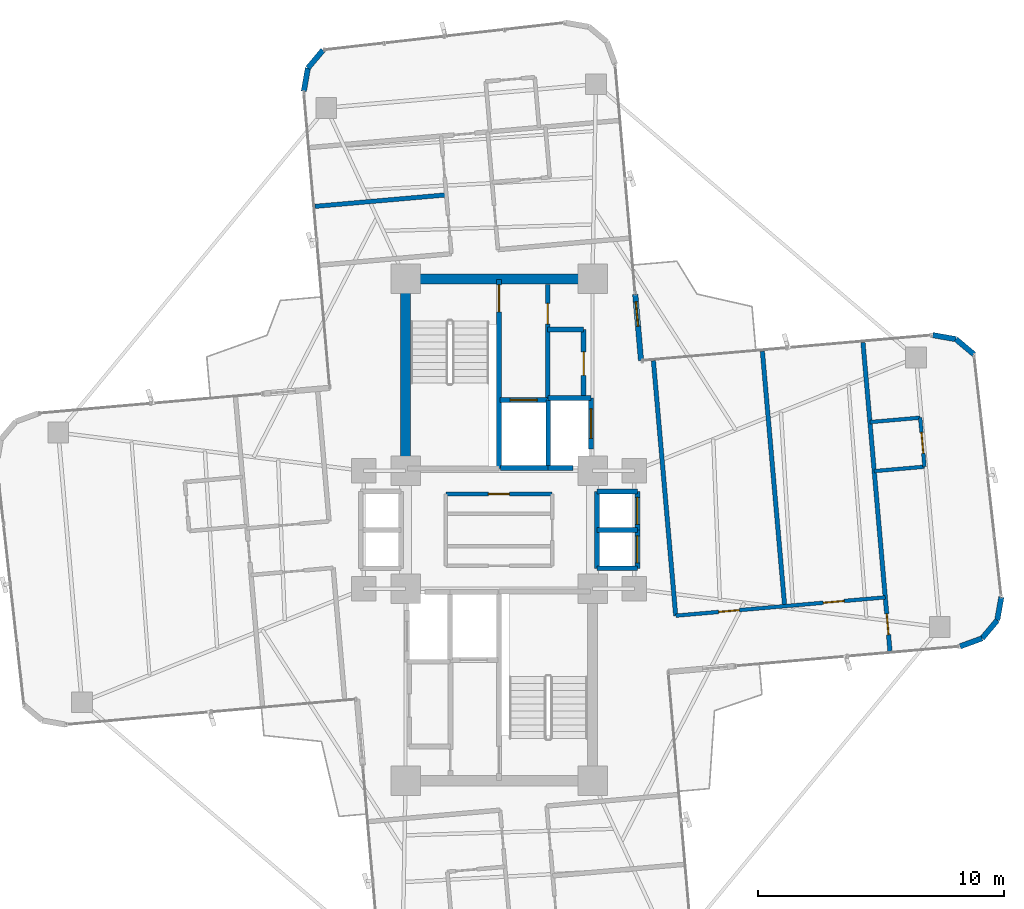
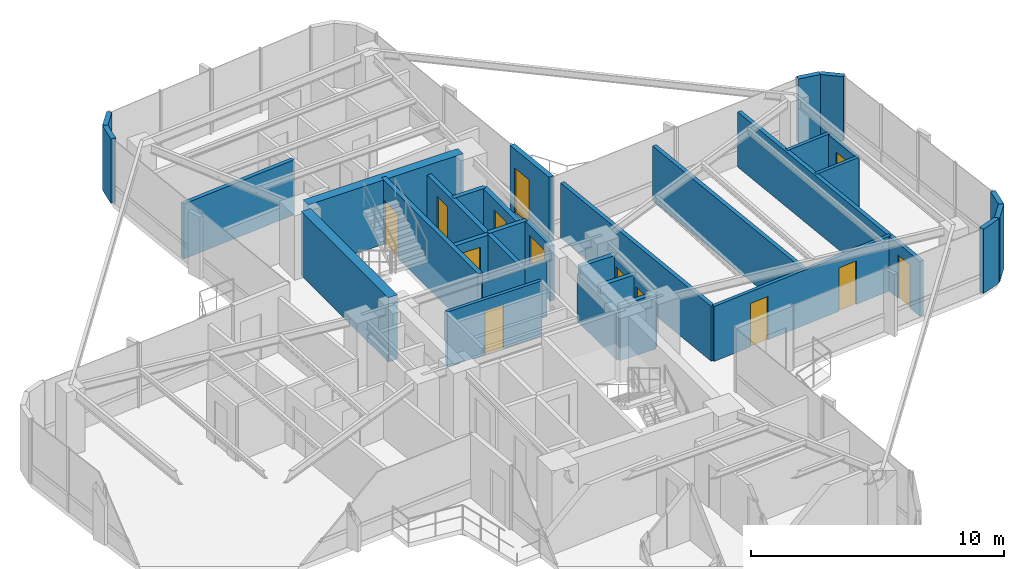
# One storey, part 22 of 24: 35 walls, 13 doors, 13 openings.
"""IFC4 building model written with IfcOpenShell, lengths in metres."""

from ifc_helpers import new_model, si_unit, direction, frame, frame_2d, origin, origin_2d, place, context, subcontext, project, spatial, rectangle, extrude, source, transform, mapped, material, layer, layer_set, type_object, element, fill, save


model = new_model("IFC4")

# Units and contexts
model_context = context("Model", 3, precision=1e-05, world=origin(), true_north=direction((0.0, 1.0)))
body_context = subcontext(model_context, "Body", "Model", "MODEL_VIEW")
ifc_project = project(units=[si_unit("LENGTHUNIT", "METRE"), si_unit("AREAUNIT", "SQUARE_METRE"), si_unit("VOLUMEUNIT", "CUBIC_METRE"), si_unit("PLANEANGLEUNIT", "RADIAN"), si_unit("MASSUNIT", "GRAM", prefix="KILO")], contexts=[model_context])

# Site, building, storey
site_placement = place(None, origin())
site = spatial("IfcSite", under=ifc_project, at=site_placement, CompositionType="ELEMENT")
building_placement = place(site_placement, origin())
building = spatial("IfcBuilding", under=site, at=building_placement, Name="Sahyath Konkavel Grand Hotel", CompositionType="ELEMENT")
storey_placement = place(building_placement, frame((0.0, 0.0, 157.300048828125)))
storey = spatial("IfcBuildingStorey", under=building, at=storey_placement, Name="L43", CompositionType="ELEMENT", Elevation=157.300048828125)

# Walls
ifc_material_1 = material(Name="Concrete C50/60", Category="concrete")
ifc_layer_1 = layer(ifc_material_1, 0.419921875)
ifc_layer_set_1 = layer_set([ifc_layer_1], Name="Concrete C50/60")
wall_type_1 = type_object("IfcWallType", Name="CWALL-420", PredefinedType="SHEAR", material=ifc_layer_set_1)
wall_1_placement = place(storey_placement, frame((-3.550048828125, 10.199951171875, 0.0), z_axis=(0.0, 0.0, 1.0), x_axis=(1.0, 0.0, 0.0)))
element("IfcWall", 1, at=wall_1_placement, inside=storey, type_object=wall_type_1, Name="L43 North Core Shear Wall N", PredefinedType="SHEAR", context=body_context, shape_type="SweptSolid", body=[
    extrude(rectangle(XDim=7.10009765625, YDim=0.419921875, at=frame_2d((3.550048828125, 0.0))), origin(), (0.0, 0.0, 1.0), 3.10986328125),
])
wall_2_placement = place(storey_placement, frame((-3.800048828125, 2.85009765625, 0.0), z_axis=(0.0, 0.0, 1.0), x_axis=(0.0, 1.0, 0.0)))
element("IfcWall", 2, at=wall_2_placement, inside=storey, type_object=wall_type_1, Name="L43 North Core Shear Wall W", PredefinedType="SHEAR", context=body_context, shape_type="SweptSolid", body=[
    extrude(rectangle(XDim=6.89990234375, YDim=0.419921875, at=frame_2d((3.449951171875, 0.0))), origin(), (0.0, 0.0, 1.0), 3.10986328125),
])
ifc_material_2 = material(Name="Warm Buff Sandstone Insulated Concrete C40/50", Category="masonry")
ifc_layer_2 = layer(ifc_material_2, 0.219970703125)
ifc_layer_set_2 = layer_set([ifc_layer_2], Name="Warm Buff Sandstone Insulated Concrete C40/50")
wall_type_2 = type_object("IfcWallType", Name="WLL-BALC-THRESH", PredefinedType="STANDARD", material=ifc_layer_set_2)
wall_3_placement = place(storey_placement, frame((18.73388671875, -4.735107421875, 0.0), z_axis=(0.0, 0.0, 1.0), x_axis=(0.939741306239, 0.34188635151, 0.0)))
element("IfcWall", 3, at=wall_3_placement, inside=storey, type_object=wall_type_2, Name="L43 Rounded Corner Sandstone Pier 1", PredefinedType="STANDARD", context=body_context, shape_type="SweptSolid", body=[
    extrude(rectangle(XDim=0.95751953125, YDim=0.219970703125, at=frame_2d((0.478759765625, 0.0))), origin(), (0.0, 0.0, 1.0), 3.10986328125),
])
for number, where, z_axis, x_axis, name in (
    (4, (19.6337890625, -4.40771484375, 0.0), (0.0, 0.0, 1.0), (0.642863236823, 0.765980978054, 0.0), "L43 Rounded Corner Sandstone Pier 2"),
    (5, (20.24951171875, -3.674072265625, 0.0), (0.0, 0.0, 1.0), (0.173610811841, 0.984814340885, 0.0), "L43 Rounded Corner Sandstone Pier 3"),
):
    element("IfcWall", number, at=place(storey_placement, frame(where, z_axis=z_axis, x_axis=x_axis)), inside=storey, type_object=wall_type_2, Name=name, PredefinedType="STANDARD", context=body_context, shape_type="SweptSolid", body=[
        extrude(rectangle(XDim=0.957763671875, YDim=0.219970703125, at=frame_2d((0.47900390625, 0.0))), origin(), (0.0, 0.0, 1.0), 3.10986328125),
    ])
wall_4_placement = place(storey_placement, frame((19.3037109375, 7.134521484375, 0.0), z_axis=(0.0, 0.0, 1.0), x_axis=(-0.766001159887, 0.642839189107, 0.0)))
element("IfcWall", 6, at=wall_4_placement, inside=storey, type_object=wall_type_2, Name="L43 Rounded Corner Sandstone Pier 5", PredefinedType="STANDARD", context=body_context, shape_type="SweptSolid", body=[
    extrude(rectangle(XDim=0.95751953125, YDim=0.219970703125, at=frame_2d((0.478759765625, 0.0))), origin(), (0.0, 0.0, 1.0), 3.10986328125),
])
wall_5_placement = place(storey_placement, frame((18.5703125, 7.75, 0.0), z_axis=(0.0, 0.0, 1.0), x_axis=(-0.984770724397, 0.173858046606, 0.0)))
element("IfcWall", 7, at=wall_5_placement, inside=storey, type_object=wall_type_2, Name="L43 Rounded Corner Sandstone Pier 6", PredefinedType="STANDARD", context=body_context, shape_type="SweptSolid", body=[
    extrude(rectangle(XDim=0.957763671875, YDim=0.219970703125, at=frame_2d((0.47900390625, 0.0))), origin(), (0.0, 0.0, 1.0), 3.10986328125),
])

# Wall, opening, door
wall_6_placement = place(storey_placement, frame((5.7724609375, 6.87939453125, 0.0), z_axis=(0.0, 0.0, 1.0), x_axis=(-0.087168071984, 0.996193619346, 0.0)))
wall_6 = element("IfcWall", 8, at=wall_6_placement, inside=storey, type_object=wall_type_2, Name="L43 Winter-Garden Threshold Wall 8", PredefinedType="STANDARD", context=body_context, shape_type="SweptSolid", body=[
    extrude(rectangle(XDim=2.699951171875, YDim=0.219970703125, at=frame_2d((1.35009765625, 0.0))), origin(), (0.0, 0.0, 1.0), 3.10986328125),
])
opening_1_placement = place(wall_6_placement, frame((1.39990234375, 0.0, 0.0)))
opening_1 = element("IfcOpeningElement", 9, at=opening_1_placement, cuts=wall_6, Name="Opening D-TR1", PredefinedType="OPENING", context=body_context, shape_type="SweptSolid", body=[
    extrude(rectangle(XDim=1.0, YDim=2.199951171875, at=frame_2d((0.5, 1.10009765625))), frame((0.0, 0.1201171875, 0.0), z_axis=(0.0, -1.0, 0.0), x_axis=(1.0, 0.0, 0.0)), (0.0, 0.0, 1.0), 0.239990234375),
])
ifc_material_3 = material(Name="Anodised Bronze Aluminium & Low-E Glazing", Category="aluminium")
door_type_1 = type_object("IfcDoorType", Name="DR-TERRACE-1000", OperationType="NOTDEFINED", PredefinedType="DOOR", material=ifc_material_3)
shared_shape_1 = source(origin(), body_context, "Body", "SweptSolid", [
    extrude(rectangle(XDim=1.0, YDim=0.050048828125, at=origin_2d()), origin(), (0.0, 0.0, 1.0), 2.199951171875),
])
door_1_placement = place(opening_1_placement, frame((0.5, 0.0, 0.0)))
door_1 = element("IfcDoor", 10, at=door_1_placement, inside=storey, type_object=door_type_1, Name="L43 Winter-Garden Terrace Door 8", OperationType="SINGLE_SWING_LEFT", OverallHeight=2.199951171875, OverallWidth=1.0, PredefinedType="DOOR", context=body_context, shape_type="MappedRepresentation", body=[
    mapped(shared_shape_1, transform((0.0, 0.0, 0.0), scale=1.0)),
])
fill(opening_1, door_1)

# Walls
for number, where, z_axis, x_axis, name in (
    (11, (-7.152099609375, 19.5029296875, 0.0), (0.0, 0.0, 1.0), (-0.642713642115, -0.766106503196, 0.0), "L43 Rounded Corner Sandstone Pier 13"),
    (12, (-7.767578125, 18.769287109375, 0.0), (0.0, 0.0, 1.0), (-0.173654409999, -0.984806654064, 0.0), "L43 Rounded Corner Sandstone Pier 14"),
):
    element("IfcWall", number, at=place(storey_placement, frame(where, z_axis=z_axis, x_axis=x_axis)), inside=storey, type_object=wall_type_2, Name=name, PredefinedType="STANDARD", context=body_context, shape_type="SweptSolid", body=[
        extrude(rectangle(XDim=0.95751953125, YDim=0.219970703125, at=frame_2d((0.478759765625, 0.0))), origin(), (0.0, 0.0, 1.0), 3.10986328125),
    ])

# Wall, opening, door
ifc_material_4 = material(Name="Concrete C40/50", Category="concrete")
ifc_layer_3 = layer(ifc_material_4, 0.199951171875)
ifc_layer_set_3 = layer_set([ifc_layer_3], Name="Concrete C40/50")
wall_type_3 = type_object("IfcWallType", Name="WLL-CORE-200", PredefinedType="SOLIDWALL", material=ifc_layer_set_3)
wall_7_placement = place(storey_placement, frame((0.0, 2.5, 0.0), z_axis=(0.0, 0.0, 1.0), x_axis=(0.0, 1.0, 0.0)))
wall_7 = element("IfcWall", 13, at=wall_7_placement, inside=storey, type_object=wall_type_3, Name="L43 Stair ST-1 Shaft Wall E", PredefinedType="SOLIDWALL", context=body_context, shape_type="SweptSolid", body=[
    extrude(rectangle(XDim=7.679931640625, YDim=0.199951171875, at=frame_2d((3.83984375, 0.0))), origin(), (0.0, 0.0, 1.0), 3.10986328125),
])
opening_2_placement = place(wall_7_placement, frame((6.360107421875, 0.0, 0.0)))
opening_2 = element("IfcOpeningElement", 14, at=opening_2_placement, cuts=wall_7, Name="Opening D-F12B", PredefinedType="OPENING", context=body_context, shape_type="SweptSolid", body=[
    extrude(rectangle(XDim=1.10009765625, YDim=2.14990234375, at=frame_2d((0.550048828125, 1.074951171875))), frame((0.0, 0.10986328125, 0.0), z_axis=(0.0, -1.0, 0.0), x_axis=(1.0, 0.0, 0.0)), (0.0, 0.0, 1.0), 0.219970703125),
])
ifc_material_5 = material(Name="Steel E350 Smokeproof Fire Door", Category="steel")
door_type_2 = type_object("IfcDoorType", Name="DR-FD120-1100", OperationType="NOTDEFINED", PredefinedType="DOOR", material=ifc_material_5)
shared_shape_2 = source(origin(), body_context, "Body", "SweptSolid", [
    extrude(rectangle(XDim=1.10009765625, YDim=0.050048828125, at=origin_2d()), origin(), (0.0, 0.0, 1.0), 2.14990234375),
])
door_2_placement = place(opening_2_placement, frame((0.550048828125, 0.0, 0.0)))
door_2 = element("IfcDoor", 15, at=door_2_placement, inside=storey, type_object=door_type_2, Name="L43 Stair ST-1 Fire Door", OperationType="SINGLE_SWING_LEFT", OverallHeight=2.14990234375, OverallWidth=1.10009765625, PredefinedType="DOOR", context=body_context, shape_type="MappedRepresentation", body=[
    mapped(shared_shape_2, transform((0.0, 0.0, 0.0), scale=1.0)),
])
fill(opening_2, door_2)

wall_8_placement = place(storey_placement, frame((1.97998046875, 5.320068359375, 0.0), z_axis=(0.0, 0.0, 1.0), x_axis=(0.0, 1.0, 0.0)))
wall_8 = element("IfcWall", 16, at=wall_8_placement, inside=storey, type_object=wall_type_3, Name="L43 North Firefighting Lobby Wall E", PredefinedType="SOLIDWALL", context=body_context, shape_type="SweptSolid", body=[
    extrude(rectangle(XDim=4.659912109375, YDim=0.199951171875, at=frame_2d((2.330078125, 0.0))), origin(), (0.0, 0.0, 1.0), 2.659912109375),
])
opening_3_placement = place(wall_8_placement, frame((3.0400390625, 0.0, 0.0)))
opening_3 = element("IfcOpeningElement", 17, at=opening_3_placement, cuts=wall_8, Name="Opening D-F12D", PredefinedType="OPENING", context=body_context, shape_type="SweptSolid", body=[
    extrude(rectangle(XDim=0.85009765625, YDim=2.10009765625, at=frame_2d((0.425048828125, 1.050048828125))), frame((0.0, 0.10986328125, 0.0), z_axis=(0.0, -1.0, 0.0), x_axis=(1.0, 0.0, 0.0)), (0.0, 0.0, 1.0), 0.219970703125),
])
ifc_material_6 = material(Name="Steel E350 Core Fire Door", Category="steel")
door_type_3 = type_object("IfcDoorType", Name="DR-FD120-850", OperationType="NOTDEFINED", PredefinedType="DOOR", material=ifc_material_6)
shared_shape_3 = source(origin(), body_context, "Body", "SweptSolid", [
    extrude(rectangle(XDim=0.85009765625, YDim=0.050048828125, at=origin_2d()), origin(), (0.0, 0.0, 1.0), 2.10009765625),
])
door_3_placement = place(opening_3_placement, frame((0.425048828125, 0.0, 0.0)))
door_3 = element("IfcDoor", 18, at=door_3_placement, inside=storey, type_object=door_type_3, Name="L43 North Firefighting Lobby Door", OperationType="SINGLE_SWING_LEFT", OverallHeight=2.10009765625, OverallWidth=0.85009765625, PredefinedType="DOOR", context=body_context, shape_type="MappedRepresentation", body=[
    mapped(shared_shape_3, transform((0.0, 0.0, 0.0), scale=1.0)),
])
fill(opening_3, door_3)

# Walls
wall_9_placement = place(storey_placement, frame((2.0, 2.5, 0.0), z_axis=(0.0, 0.0, 1.0), x_axis=(0.0, 1.0, 0.0)))
element("IfcWall", 19, at=wall_9_placement, inside=storey, type_object=wall_type_3, Name="L43 Partition SH-FFL1-E", PredefinedType="SOLIDWALL", context=body_context, shape_type="SweptSolid", body=[
    extrude(rectangle(XDim=2.780029296875, YDim=0.199951171875, at=frame_2d((1.39013671875, 0.0))), origin(), (0.0, 0.0, 1.0), 2.659912109375),
])
wall_10_placement = place(storey_placement, frame((0.050048828125, 2.52001953125, 0.0), z_axis=(0.0, 0.0, 1.0), x_axis=(1.0, 0.0, 0.0)))
element("IfcWall", 20, at=wall_10_placement, inside=storey, type_object=wall_type_3, Name="L43 Partition SH-FFL1-S", PredefinedType="SOLIDWALL", context=body_context, shape_type="SweptSolid", body=[
    extrude(rectangle(XDim=1.949951171875, YDim=0.199951171875, at=frame_2d((0.97509765625, 0.0))), origin(), (0.0, 0.0, 1.0), 2.659912109375),
])

# Wall, opening, door
wall_11_placement = place(storey_placement, frame((0.050048828125, 5.280029296875, 0.0), z_axis=(0.0, 0.0, 1.0), x_axis=(1.0, 0.0, 0.0)))
wall_11 = element("IfcWall", 21, at=wall_11_placement, inside=storey, type_object=wall_type_3, Name="L43 Partition SH-FFL1-N", PredefinedType="SOLIDWALL", context=body_context, shape_type="SweptSolid", body=[
    extrude(rectangle(XDim=1.929931640625, YDim=0.199951171875, at=frame_2d((0.96484375, 0.0))), origin(), (0.0, 0.0, 1.0), 2.659912109375),
])
opening_4_placement = place(wall_11_placement, frame((0.39990234375, 0.0, 0.0)))
opening_4 = element("IfcOpeningElement", 22, at=opening_4_placement, cuts=wall_11, Name="Opening LD-11", PredefinedType="OPENING", context=body_context, shape_type="SweptSolid", body=[
    extrude(rectangle(XDim=1.10009765625, YDim=2.199951171875, at=frame_2d((0.550048828125, 1.10009765625))), frame((0.0, 0.10986328125, 0.0), z_axis=(0.0, -1.0, 0.0), x_axis=(1.0, 0.0, 0.0)), (0.0, 0.0, 1.0), 0.219970703125),
])
ifc_material_7 = material(Name="Bronze Lift Landing Door 1100")
door_type_4 = type_object("IfcDoorType", Name="DR-LIFT-1100", OperationType="DOUBLE_DOOR_SLIDING", PredefinedType="DOOR", material=ifc_material_7)
shared_shape_4 = source(origin(), body_context, "Body", "SweptSolid", [
    extrude(rectangle(XDim=1.10009765625, YDim=0.050048828125, at=origin_2d()), origin(), (0.0, 0.0, 1.0), 2.199951171875),
])
door_4_placement = place(opening_4_placement, frame((0.550048828125, 0.0, 0.0)))
door_4 = element("IfcDoor", 23, at=door_4_placement, inside=storey, type_object=door_type_4, Name="L43 Lift FFL-1 Landing Door", OperationType="DOUBLE_DOOR_SLIDING", OverallHeight=2.199951171875, OverallWidth=1.10009765625, PredefinedType="DOOR", context=body_context, shape_type="MappedRepresentation", body=[
    mapped(shared_shape_4, transform((0.0, 0.0, 0.0), scale=1.0)),
])
fill(opening_4, door_4)

# Walls
wall_12_placement = place(storey_placement, frame((2.0, 2.52001953125, 0.0), z_axis=(0.0, 0.0, 1.0), x_axis=(1.0, 0.0, 0.0)))
element("IfcWall", 24, at=wall_12_placement, inside=storey, type_object=wall_type_3, Name="L43 Partition SH-SVL1-S", PredefinedType="SOLIDWALL", context=body_context, shape_type="SweptSolid", body=[
    extrude(rectangle(XDim=1.0, YDim=0.199951171875, at=frame_2d((0.5, 0.0))), origin(), (0.0, 0.0, 1.0), 2.659912109375),
])
wall_13_placement = place(storey_placement, frame((2.0, 5.360107421875, 0.0), z_axis=(0.0, 0.0, 1.0), x_axis=(1.0, 0.0, 0.0)))
element("IfcWall", 25, at=wall_13_placement, inside=storey, type_object=wall_type_3, Name="L43 Partition SH-SVL1-N", PredefinedType="SOLIDWALL", context=body_context, shape_type="SweptSolid", body=[
    extrude(rectangle(XDim=1.739990234375, YDim=0.199951171875, at=frame_2d((0.8701171875, 0.0))), origin(), (0.0, 0.0, 1.0), 2.659912109375),
])

# Wall, opening, door
wall_14_placement = place(storey_placement, frame((3.739990234375, 3.280029296875, 0.0), z_axis=(0.0, 0.0, 1.0), x_axis=(0.0, 1.0, 0.0)))
wall_14 = element("IfcWall", 26, at=wall_14_placement, inside=storey, type_object=wall_type_3, Name="L43 Partition SH-SVL1-E", PredefinedType="SOLIDWALL", context=body_context, shape_type="SweptSolid", body=[
    extrude(rectangle(XDim=2.080078125, YDim=0.199951171875, at=frame_2d((1.0400390625, 0.0))), origin(), (0.0, 0.0, 1.0), 2.659912109375),
])
opening_5_placement = place(wall_14_placement, frame((0.43994140625, 0.0, 0.0)))
opening_5 = element("IfcOpeningElement", 27, at=opening_5_placement, cuts=wall_14, Name="Opening LD-12", PredefinedType="OPENING", context=body_context, shape_type="SweptSolid", body=[
    extrude(rectangle(XDim=1.199951171875, YDim=2.199951171875, at=frame_2d((0.60009765625, 1.10009765625))), frame((0.0, 0.10986328125, 0.0), z_axis=(0.0, -1.0, 0.0), x_axis=(1.0, 0.0, 0.0)), (0.0, 0.0, 1.0), 0.219970703125),
])
ifc_material_8 = material(Name="Stainless Steel Lift Landing Door 1200", Category="steel")
door_type_5 = type_object("IfcDoorType", Name="DR-LIFT-1200", OperationType="DOUBLE_DOOR_SLIDING", PredefinedType="DOOR", material=ifc_material_8)
shared_shape_5 = source(origin(), body_context, "Body", "SweptSolid", [
    extrude(rectangle(XDim=1.199951171875, YDim=0.050048828125, at=origin_2d()), origin(), (0.0, 0.0, 1.0), 2.199951171875),
])
door_5_placement = place(opening_5_placement, frame((0.60009765625, 0.0, 0.0)))
door_5 = element("IfcDoor", 28, at=door_5_placement, inside=storey, type_object=door_type_5, Name="L43 Service Lift SVL-1 Landing Door", OperationType="DOUBLE_DOOR_SLIDING", OverallHeight=2.199951171875, OverallWidth=1.199951171875, PredefinedType="DOOR", context=body_context, shape_type="MappedRepresentation", body=[
    mapped(shared_shape_5, transform((0.0, 0.0, 0.0), scale=1.0)),
])
fill(opening_5, door_5)

# Walls
wall_15_placement = place(storey_placement, frame((3.97998046875, -1.56005859375, 0.0), z_axis=(0.0, 0.0, 1.0), x_axis=(0.0, 1.0, 0.0)))
element("IfcWall", 29, at=wall_15_placement, inside=storey, type_object=wall_type_3, Name="L43 Partition SH-PL56-W", PredefinedType="SOLIDWALL", context=body_context, shape_type="SweptSolid", body=[
    extrude(rectangle(XDim=3.1201171875, YDim=0.199951171875, at=frame_2d((1.56005859375, 0.0))), origin(), (0.0, 0.0, 1.0), 2.280029296875),
])
for number, where, z_axis, x_axis, name in (
    (30, (3.97998046875, 1.56005859375, 0.0), (0.0, 0.0, 1.0), (1.0, 0.0, 0.0), "L43 Partition SH-PL56-N"),
    (31, (3.97998046875, -1.56005859375, 0.0), (0.0, 0.0, 1.0), (1.0, 0.0, 0.0), "L43 Partition SH-PL56-S"),
    (32, (3.97998046875, 0.0, 0.0), (0.0, 0.0, 1.0), (1.0, 0.0, 0.0), "L43 Partition SH-PL56-M"),
):
    element("IfcWall", number, at=place(storey_placement, frame(where, z_axis=z_axis, x_axis=x_axis)), inside=storey, type_object=wall_type_3, Name=name, PredefinedType="SOLIDWALL", context=body_context, shape_type="SweptSolid", body=[
        extrude(rectangle(XDim=1.64013671875, YDim=0.199951171875, at=frame_2d((0.820068359375, 0.0))), origin(), (0.0, 0.0, 1.0), 2.659912109375),
    ])

# Wall, opening, door
wall_16_placement = place(storey_placement, frame((5.6201171875, 0.0, 0.0), z_axis=(0.0, 0.0, 1.0), x_axis=(0.0, 1.0, 0.0)))
wall_16 = element("IfcWall", 33, at=wall_16_placement, inside=storey, type_object=wall_type_3, Name="L43 Partition SH-PL5-E", PredefinedType="SOLIDWALL", context=body_context, shape_type="SweptSolid", body=[
    extrude(rectangle(XDim=1.56005859375, YDim=0.199951171875, at=frame_2d((0.780029296875, 0.0))), origin(), (0.0, 0.0, 1.0), 2.659912109375),
])
opening_6_placement = place(wall_16_placement, frame((0.219970703125, 0.0, 0.0)))
opening_6 = element("IfcOpeningElement", 34, at=opening_6_placement, cuts=wall_16, Name="Opening LD-11", PredefinedType="OPENING", context=body_context, shape_type="SweptSolid", body=[
    extrude(rectangle(XDim=1.10009765625, YDim=2.199951171875, at=frame_2d((0.550048828125, 1.10009765625))), frame((0.0, 0.10986328125, 0.0), z_axis=(0.0, -1.0, 0.0), x_axis=(1.0, 0.0, 0.0)), (0.0, 0.0, 1.0), 0.219970703125),
])
door_6_placement = place(opening_6_placement, frame((0.550048828125, 0.0, 0.0)))
door_6 = element("IfcDoor", 35, at=door_6_placement, inside=storey, type_object=door_type_4, Name="L43 High-Rise Lift PL-5 Landing Door", OperationType="DOUBLE_DOOR_SLIDING", OverallHeight=2.199951171875, OverallWidth=1.10009765625, PredefinedType="DOOR", context=body_context, shape_type="MappedRepresentation", body=[
    mapped(shared_shape_4, transform((0.0, 0.0, 0.0), scale=1.0)),
])
fill(opening_6, door_6)

wall_17_placement = place(storey_placement, frame((5.6201171875, -1.56005859375, 0.0), z_axis=(0.0, 0.0, 1.0), x_axis=(0.0, 1.0, 0.0)))
wall_17 = element("IfcWall", 36, at=wall_17_placement, inside=storey, type_object=wall_type_3, Name="L43 Partition SH-PL6-E", PredefinedType="SOLIDWALL", context=body_context, shape_type="SweptSolid", body=[
    extrude(rectangle(XDim=1.56005859375, YDim=0.199951171875, at=frame_2d((0.780029296875, 0.0))), origin(), (0.0, 0.0, 1.0), 2.659912109375),
])
opening_7_placement = place(wall_17_placement, frame((0.219970703125, 0.0, 0.0)))
opening_7 = element("IfcOpeningElement", 37, at=opening_7_placement, cuts=wall_17, Name="Opening LD-11", PredefinedType="OPENING", context=body_context, shape_type="SweptSolid", body=[
    extrude(rectangle(XDim=1.10009765625, YDim=2.199951171875, at=frame_2d((0.550048828125, 1.10009765625))), frame((0.0, 0.10986328125, 0.0), z_axis=(0.0, -1.0, 0.0), x_axis=(1.0, 0.0, 0.0)), (0.0, 0.0, 1.0), 0.219970703125),
])
door_7_placement = place(opening_7_placement, frame((0.550048828125, 0.0, 0.0)))
door_7 = element("IfcDoor", 38, at=door_7_placement, inside=storey, type_object=door_type_4, Name="L43 High-Rise Lift PL-6 Landing Door", OperationType="DOUBLE_DOOR_SLIDING", OverallHeight=2.199951171875, OverallWidth=1.10009765625, PredefinedType="DOOR", context=body_context, shape_type="MappedRepresentation", body=[
    mapped(shared_shape_4, transform((0.0, 0.0, 0.0), scale=1.0)),
])
fill(opening_7, door_7)

wall_18_placement = place(storey_placement, frame((3.43994140625, 5.3798828125, 0.0), z_axis=(0.0, 0.0, 1.0), x_axis=(0.0, 1.0, 0.0)))
wall_18 = element("IfcWall", 39, at=wall_18_placement, inside=storey, type_object=wall_type_3, Name="L43 Reclaimed North Core Wall E", PredefinedType="SOLIDWALL", context=body_context, shape_type="SweptSolid", body=[
    extrude(rectangle(XDim=2.77001953125, YDim=0.199951171875, at=frame_2d((1.385009765625, 0.0))), origin(), (0.0, 0.0, 1.0), 2.659912109375),
])
opening_8_placement = place(wall_18_placement, frame((0.89990234375, 0.0, 0.0)))
opening_8 = element("IfcOpeningElement", 40, at=opening_8_placement, cuts=wall_18, Name="Opening D-F06B", PredefinedType="OPENING", context=body_context, shape_type="SweptSolid", body=[
    extrude(rectangle(XDim=0.949951171875, YDim=2.14990234375, at=frame_2d((0.47509765625, 1.074951171875))), frame((0.0, 0.10986328125, 0.0), z_axis=(0.0, -1.0, 0.0), x_axis=(1.0, 0.0, 0.0)), (0.0, 0.0, 1.0), 0.219970703125),
])
ifc_material_9 = material(Name="Teak Veneer Fire-Rated Guest Entrance Door")
door_type_6 = type_object("IfcDoorType", Name="DR-FD60-950", OperationType="NOTDEFINED", PredefinedType="DOOR", material=ifc_material_9)
shared_shape_6 = source(origin(), body_context, "Body", "SweptSolid", [
    extrude(rectangle(XDim=0.949951171875, YDim=0.050048828125, at=origin_2d()), origin(), (0.0, 0.0, 1.0), 2.14990234375),
])
door_8_placement = place(opening_8_placement, frame((0.47509765625, 0.0, 0.0)))
door_8 = element("IfcDoor", 41, at=door_8_placement, inside=storey, type_object=door_type_6, Name="L43 Door NC-REC1-D", OperationType="SINGLE_SWING_LEFT", OverallHeight=2.14990234375, OverallWidth=0.949951171875, PredefinedType="DOOR", context=body_context, shape_type="MappedRepresentation", body=[
    mapped(shared_shape_6, transform((0.0, 0.0, 0.0), scale=1.0)),
])
fill(opening_8, door_8)

# Walls
wall_19_placement = place(storey_placement, frame((1.97998046875, 8.14990234375, 0.0), z_axis=(0.0, 0.0, 1.0), x_axis=(1.0, 0.0, 0.0)))
element("IfcWall", 42, at=wall_19_placement, inside=storey, type_object=wall_type_3, Name="L43 Partition NC-REC-N", PredefinedType="SOLIDWALL", context=body_context, shape_type="SweptSolid", body=[
    extrude(rectangle(XDim=1.4599609375, YDim=0.199951171875, at=frame_2d((0.72998046875, 0.0))), origin(), (0.0, 0.0, 1.0), 2.659912109375),
])
ifc_material_10 = material(Name="Twin-Stud Acoustic Gypsum Plasterboard Partition")
ifc_layer_4 = layer(ifc_material_10, 0.179931640625)
ifc_layer_set_4 = layer_set([ifc_layer_4], Name="Twin-Stud Acoustic Gypsum Plasterboard Partition")
wall_type_4 = type_object("IfcWallType", Name="WLL-DEMISE-180", PredefinedType="PARTITIONING", material=ifc_layer_set_4)
for number, where, z_axis, x_axis, name in (
    (43, (7.181396484375, -3.4873046875, 0.0), (0.0, 0.0, 1.0), (-0.087163455754, 0.996194023261, 0.0), "L43 Partition E-G6I"),
    (44, (11.6103515625, -3.099853515625, 0.0), (0.0, 0.0, 1.0), (-0.087163455754, 0.996194023261, 0.0), "L43 Partition E-ESL6-DEM"),
):
    element("IfcWall", number, at=place(storey_placement, frame(where, z_axis=z_axis, x_axis=x_axis)), inside=storey, type_object=wall_type_4, Name=name, PredefinedType="PARTITIONING", context=body_context, shape_type="SweptSolid", body=[
        extrude(rectangle(XDim=10.39990234375, YDim=0.179931640625, at=frame_2d((5.199951171875, 0.0))), origin(), (0.0, 0.0, 1.0), 2.659912109375),
    ])

# Wall, opening, door
wall_20_placement = place(storey_placement, frame((15.890380859375, -4.933837890625, 0.0), z_axis=(0.0, 0.0, 1.0), x_axis=(-0.087154691724, 0.996194790044, 0.0)))
wall_20 = element("IfcWall", 45, at=wall_20_placement, inside=storey, type_object=wall_type_4, Name="L43 Partition E-ETIP-END", PredefinedType="PARTITIONING", context=body_context, shape_type="SweptSolid", body=[
    extrude(rectangle(XDim=12.599853515625, YDim=0.179931640625, at=frame_2d((6.2998046875, 0.0))), origin(), (0.0, 0.0, 1.0), 2.659912109375),
])
opening_9_placement = place(wall_20_placement, frame((0.675048828125, 0.0, 0.0)))
opening_9 = element("IfcOpeningElement", 46, at=opening_9_placement, cuts=wall_20, Name="Opening D-F06D", PredefinedType="OPENING", context=body_context, shape_type="SweptSolid", body=[
    extrude(rectangle(XDim=0.85009765625, YDim=2.10009765625, at=frame_2d((0.425048828125, 1.050048828125))), frame((0.0, 0.10009765625, 0.0), z_axis=(0.0, -1.0, 0.0), x_axis=(1.0, 0.0, 0.0)), (0.0, 0.0, 1.0), 0.199951171875),
])
ifc_material_11 = material(Name="Fire-Rated Shaft Access Door")
door_type_7 = type_object("IfcDoorType", Name="DR-FD60-850", OperationType="NOTDEFINED", PredefinedType="DOOR", material=ifc_material_11)
door_9_placement = place(opening_9_placement, frame((0.425048828125, 0.0, 0.0)))
door_9 = element("IfcDoor", 47, at=door_9_placement, inside=storey, type_object=door_type_7, Name="L43 Door E-ETIP-ED", OperationType="SINGLE_SWING_LEFT", OverallHeight=2.10009765625, OverallWidth=0.85009765625, PredefinedType="DOOR", context=body_context, shape_type="MappedRepresentation", body=[
    mapped(shared_shape_3, transform((0.0, 0.0, 0.0), scale=1.0)),
])
fill(opening_9, door_9)

# Wall
wall_21_placement = place(storey_placement, frame((-2.144775390625, 13.614990234375, 0.0), z_axis=(0.0, 0.0, 1.0), x_axis=(-0.996194212812, -0.087161289348, 0.0)))
element("IfcWall", 48, at=wall_21_placement, inside=storey, type_object=wall_type_4, Name="L43 Partition N-N4L1-DEM", PredefinedType="PARTITIONING", context=body_context, shape_type="SweptSolid", body=[
    extrude(rectangle(XDim=5.349853515625, YDim=0.179931640625, at=frame_2d((2.6748046875, 0.0))), origin(), (0.0, 0.0, 1.0), 2.659912109375),
])

# Wall, opening, door
ifc_material_12 = material(Name="Fire-Rated Gypsum Plasterboard Partition")
ifc_layer_5 = layer(ifc_material_12, 0.14990234375)
ifc_layer_set_5 = layer_set([ifc_layer_5], Name="Fire-Rated Gypsum Plasterboard Partition")
wall_type_5 = type_object("IfcWallType", Name="WLL-PART-150", PredefinedType="PARTITIONING", material=ifc_layer_set_5)
wall_22_placement = place(storey_placement, frame((-2.159912109375, 1.4599609375, 0.0), z_axis=(0.0, 0.0, 1.0), x_axis=(1.0, 0.0, 0.0)))
wall_22 = element("IfcWall", 49, at=wall_22_placement, inside=storey, type_object=wall_type_5, Name="L43 Partition CC-2N", PredefinedType="PARTITIONING", context=body_context, shape_type="SweptSolid", body=[
    extrude(rectangle(XDim=4.31982421875, YDim=0.14990234375, at=frame_2d((2.159912109375, 0.0))), origin(), (0.0, 0.0, 1.0), 2.659912109375),
])
opening_10_placement = place(wall_22_placement, frame((1.72998046875, 0.0, 0.0)))
opening_10 = element("IfcOpeningElement", 50, at=opening_10_placement, cuts=wall_22, Name="Opening D-F06D", PredefinedType="OPENING", context=body_context, shape_type="SweptSolid", body=[
    extrude(rectangle(XDim=0.85009765625, YDim=2.10009765625, at=frame_2d((0.425048828125, 1.050048828125))), frame((0.0, 0.0849609375, 0.0), z_axis=(0.0, -1.0, 0.0), x_axis=(1.0, 0.0, 0.0)), (0.0, 0.0, 1.0), 0.169921875),
])
door_10_placement = place(opening_10_placement, frame((0.425048828125, 0.0, 0.0)))
door_10 = element("IfcDoor", 51, at=door_10_placement, inside=storey, type_object=door_type_7, Name="L43 Door CC-D2A", OperationType="SINGLE_SWING_LEFT", OverallHeight=2.10009765625, OverallWidth=0.85009765625, PredefinedType="DOOR", context=body_context, shape_type="MappedRepresentation", body=[
    mapped(shared_shape_3, transform((0.0, 0.0, 0.0), scale=1.0)),
])
fill(opening_10, door_10)

# Wall, openings, doors
wall_23_placement = place(storey_placement, frame((7.181396484375, -3.4873046875, 0.0), z_axis=(0.0, 0.0, 1.0), x_axis=(0.996195236082, 0.087149593273, 0.0)))
wall_23 = element("IfcWall", 52, at=wall_23_placement, inside=storey, type_object=wall_type_5, Name="L43 Partition E-G6W", PredefinedType="PARTITIONING", context=body_context, shape_type="SweptSolid", body=[
    extrude(rectangle(XDim=8.5498046875, YDim=0.14990234375, at=frame_2d((4.27490234375, 0.0))), origin(), (0.0, 0.0, 1.0), 2.659912109375),
])
opening_11_placement = place(wall_23_placement, frame((1.748046875, 0.0, 0.0)))
opening_11 = element("IfcOpeningElement", 53, at=opening_11_placement, cuts=wall_23, Name="Opening D-F06D", PredefinedType="OPENING", context=body_context, shape_type="SweptSolid", body=[
    extrude(rectangle(XDim=0.85009765625, YDim=2.10009765625, at=frame_2d((0.425048828125, 1.050048828125))), frame((0.0, 0.0849609375, 0.0), z_axis=(0.0, -1.0, 0.0), x_axis=(1.0, 0.0, 0.0)), (0.0, 0.0, 1.0), 0.169921875),
])
opening_12_placement = place(wall_23_placement, frame((6.02294921875, 0.0, 0.0)))
opening_12 = element("IfcOpeningElement", 54, at=opening_12_placement, cuts=wall_23, Name="Opening D-F06D", PredefinedType="OPENING", context=body_context, shape_type="SweptSolid", body=[
    extrude(rectangle(XDim=0.85009765625, YDim=2.10009765625, at=frame_2d((0.425048828125, 1.050048828125))), frame((0.0, 0.0849609375, 0.0), z_axis=(0.0, -1.0, 0.0), x_axis=(1.0, 0.0, 0.0)), (0.0, 0.0, 1.0), 0.169921875),
])
door_11_placement = place(opening_11_placement, frame((0.425048828125, 0.0, 0.0)))
door_11 = element("IfcDoor", 55, at=door_11_placement, inside=storey, type_object=door_type_7, Name="L43 Door E-ESL6-D", OperationType="SINGLE_SWING_RIGHT", OverallHeight=2.10009765625, OverallWidth=0.85009765625, PredefinedType="DOOR", context=body_context, shape_type="MappedRepresentation", body=[
    mapped(shared_shape_3, transform((0.0, 0.0, 0.0), scale=1.0)),
])
fill(opening_11, door_11)
door_12_placement = place(opening_12_placement, frame((0.425048828125, 0.0, 0.0)))
door_12 = element("IfcDoor", 56, at=door_12_placement, inside=storey, type_object=door_type_7, Name="L43 Door E-ED6-D", OperationType="SINGLE_SWING_LEFT", OverallHeight=2.10009765625, OverallWidth=0.85009765625, PredefinedType="DOOR", context=body_context, shape_type="MappedRepresentation", body=[
    mapped(shared_shape_3, transform((0.0, 0.0, 0.0), scale=1.0)),
])
fill(opening_12, door_12)

# Walls
wall_24_placement = place(storey_placement, frame((15.07568359375, 4.380615234375, 0.0), z_axis=(0.0, 0.0, 1.0), x_axis=(0.99619307114, 0.087174336889, 0.0)))
element("IfcWall", 57, at=wall_24_placement, inside=storey, type_object=wall_type_5, Name="L43 Partition E-ETIP-BN", PredefinedType="PARTITIONING", context=body_context, shape_type="SweptSolid", body=[
    extrude(rectangle(XDim=2.050048828125, YDim=0.14990234375, at=frame_2d((1.02490234375, 0.0))), origin(), (0.0, 0.0, 1.0), 2.659912109375),
])
wall_25_placement = place(storey_placement, frame((15.25, 2.38818359375, 0.0), z_axis=(0.0, 0.0, 1.0), x_axis=(0.996192165966, 0.087184680235, 0.0)))
element("IfcWall", 58, at=wall_25_placement, inside=storey, type_object=wall_type_5, Name="L43 Partition E-ETIP-BS", PredefinedType="PARTITIONING", context=body_context, shape_type="SweptSolid", body=[
    extrude(rectangle(XDim=2.0498046875, YDim=0.14990234375, at=frame_2d((1.02490234375, 0.0))), origin(), (0.0, 0.0, 1.0), 2.659912109375),
])

# Wall, opening, door
wall_26_placement = place(storey_placement, frame((17.2919921875, 2.56689453125, 0.0), z_axis=(0.0, 0.0, 1.0), x_axis=(-0.087035208109, 0.996205236158, 0.0)))
wall_26 = element("IfcWall", 59, at=wall_26_placement, inside=storey, type_object=wall_type_5, Name="L43 Partition E-ETIP-BE", PredefinedType="PARTITIONING", context=body_context, shape_type="SweptSolid", body=[
    extrude(rectangle(XDim=2.0, YDim=0.14990234375, at=frame_2d((1.0, 0.0))), origin(), (0.0, 0.0, 1.0), 2.6298828125),
])
opening_13_placement = place(wall_26_placement, frame((0.550048828125, 0.0, 0.0)))
opening_13 = element("IfcOpeningElement", 60, at=opening_13_placement, cuts=wall_26, Name="Opening D-BT85", PredefinedType="OPENING", context=body_context, shape_type="SweptSolid", body=[
    extrude(rectangle(XDim=0.85009765625, YDim=2.10009765625, at=frame_2d((0.425048828125, 1.050048828125))), frame((0.0, 0.0849609375, 0.0), z_axis=(0.0, -1.0, 0.0), x_axis=(1.0, 0.0, 0.0)), (0.0, 0.0, 1.0), 0.169921875),
])
ifc_material_13 = material(Name="Moisture-Resistant Teak Bathroom Door")
door_type_8 = type_object("IfcDoorType", Name="DR-BATH-850", OperationType="NOTDEFINED", PredefinedType="DOOR", material=ifc_material_13)
door_13_placement = place(opening_13_placement, frame((0.425048828125, 0.0, 0.0)))
door_13 = element("IfcDoor", 61, at=door_13_placement, inside=storey, type_object=door_type_8, Name="L43 Door E-ETIP-BD", OperationType="SINGLE_SWING_RIGHT", OverallHeight=2.10009765625, OverallWidth=0.85009765625, PredefinedType="DOOR", context=body_context, shape_type="MappedRepresentation", body=[
    mapped(shared_shape_3, transform((0.0, 0.0, 0.0), scale=1.0)),
])
fill(opening_13, door_13)

save(model, "model.ifc")
